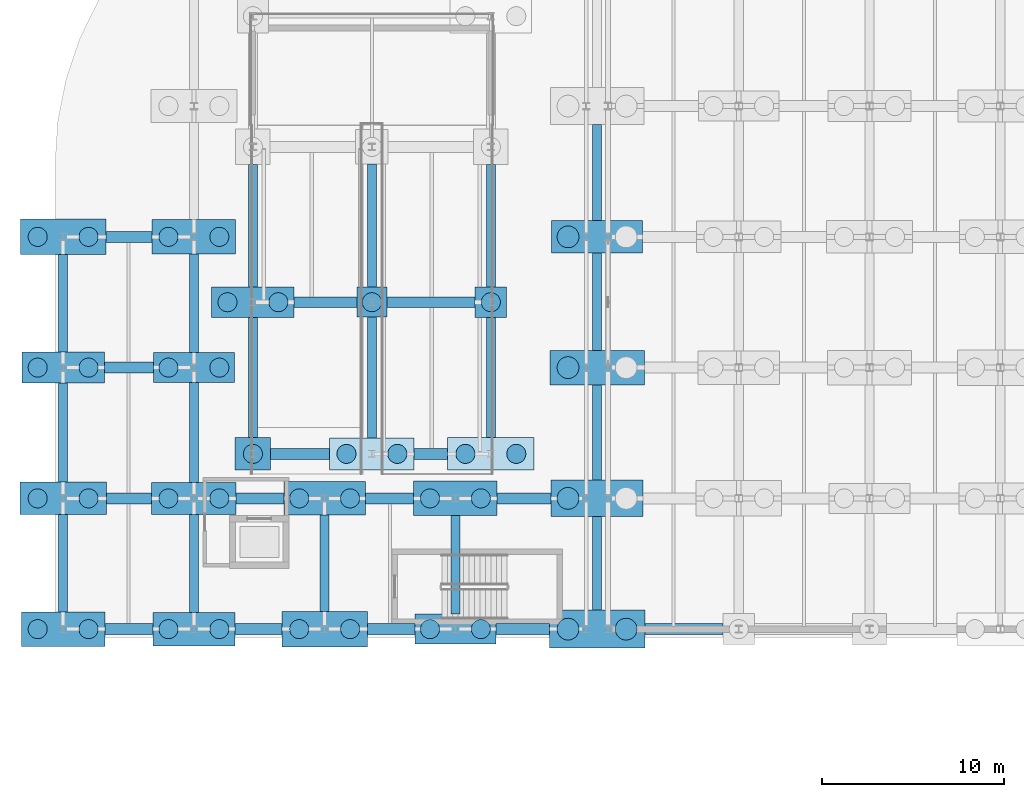
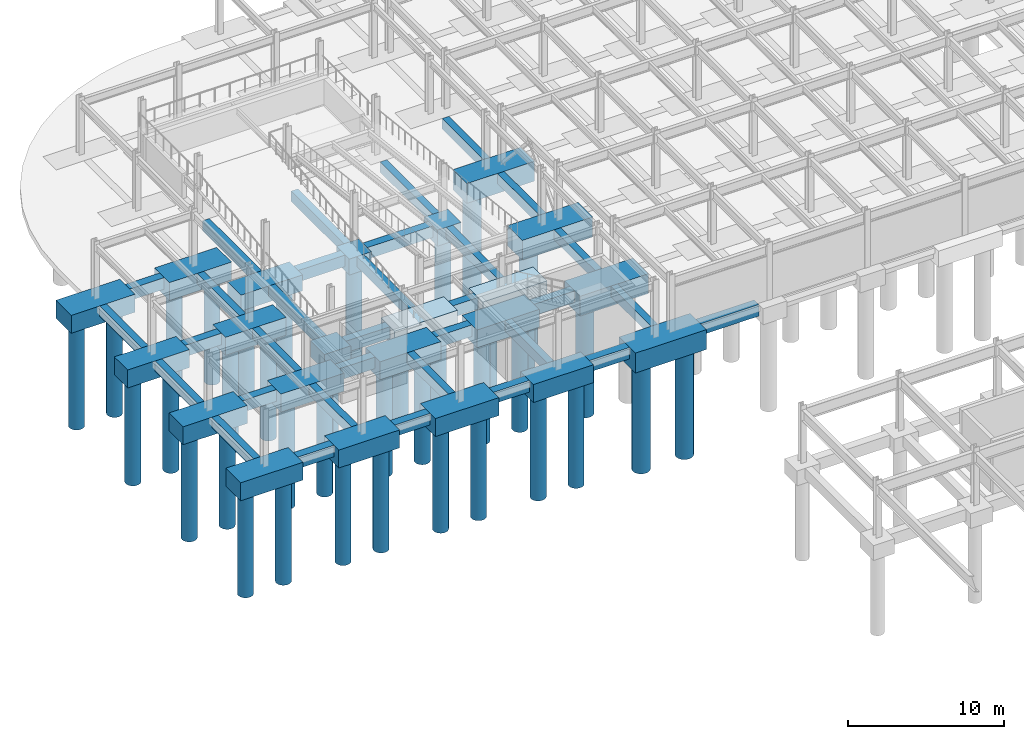
# One storey, part 2 of 54: 55 footings, 38 piles.
"""IFC4 building model written with IfcOpenShell, lengths in metres."""

from ifc_helpers import new_model, si_unit, direction, frame, origin, origin_2d, place, context, subcontext, project, spatial, polyline, rectangle, circle, outline, extrude, material, material_profile, profile_set, type_object, element, save


model = new_model("IFC4")

# Units and contexts
model_context = context("Model", 3, precision=1e-05, world=origin(), true_north=direction((0.0, 1.0)))
body_context = subcontext(model_context, "Body", "Model", "MODEL_VIEW")
ifc_project = project(units=[si_unit("LENGTHUNIT", "METRE"), si_unit("AREAUNIT", "SQUARE_METRE"), si_unit("VOLUMEUNIT", "CUBIC_METRE"), si_unit("PLANEANGLEUNIT", "RADIAN"), si_unit("MASSUNIT", "GRAM", prefix="KILO")], contexts=[model_context])

# Site, building, storey
site_placement = place(None, origin())
site = spatial("IfcSite", under=ifc_project, at=site_placement, CompositionType="ELEMENT")
building_placement = place(site_placement, origin())
building = spatial("IfcBuilding", under=site, at=building_placement, Name="Vaelcorin Mobility Hub", CompositionType="ELEMENT")
storey_placement = place(building_placement, frame((0.0, 0.0, -4.5)))
storey = spatial("IfcBuildingStorey", under=building, at=storey_placement, Name="B1", CompositionType="ELEMENT", Elevation=-4.5)

# Footings
ifc_material = material(Name="Concrete f'c 40 MPa", Category="concrete")
footing_type_1 = type_object("IfcFootingType", Name="FB-500X800", PredefinedType="FOOTING_BEAM", material=ifc_material)
footing_1_placement = place(storey_placement, frame((0.0, 0.0, -0.800048828125)))
element("IfcFooting", 1, at=footing_1_placement, inside=storey, type_object=footing_type_1, Name="Foundation Tie Beam FB-Y-262", PredefinedType="FOOTING_BEAM", context=body_context, shape_type="SweptSolid", body=[
    extrude(outline(polyline([(5.75, 77.75), (6.25, 77.75), (6.25, 83.10009765625), (5.75, 83.10009765625), (5.75, 77.75)])), origin(), (0.0, 0.0, 1.0), 0.800048828125),
])
footing_2_placement = place(storey_placement, frame((0.0, 0.0, -0.800048828125)))
element("IfcFooting", 2, at=footing_2_placement, inside=storey, type_object=footing_type_1, Name="Foundation Tie Beam FB-Y-263", PredefinedType="FOOTING_BEAM", context=body_context, shape_type="SweptSolid", body=[
    extrude(outline(polyline([(5.75, 84.89990234375), (6.25, 84.89990234375), (6.25, 90.35009765625), (5.75, 90.35009765625), (5.75, 84.89990234375)])), origin(), (0.0, 0.0, 1.0), 0.800048828125),
])
footing_3_placement = place(storey_placement, frame((0.0, 0.0, -0.800048828125)))
element("IfcFooting", 3, at=footing_3_placement, inside=storey, type_object=footing_type_1, Name="Foundation Tie Beam FB-Y-264", PredefinedType="FOOTING_BEAM", context=body_context, shape_type="SweptSolid", body=[
    extrude(outline(polyline([(5.75, 92.050048828125), (6.25, 92.050048828125), (6.25, 97.425048828125), (5.75, 97.425048828125), (5.75, 92.050048828125)])), origin(), (0.0, 0.0, 1.0), 0.800048828125),
])
footing_4_placement = place(storey_placement, frame((0.0, 0.0, -0.800048828125)))
element("IfcFooting", 4, at=footing_4_placement, inside=storey, type_object=footing_type_1, Name="Foundation Tie Beam FB-Y-265", PredefinedType="FOOTING_BEAM", context=body_context, shape_type="SweptSolid", body=[
    extrude(outline(polyline([(12.949951171875, 77.72509765625), (13.449951171875, 77.72509765625), (13.449951171875, 83.125), (12.949951171875, 83.125), (12.949951171875, 77.72509765625)])), origin(), (0.0, 0.0, 1.0), 0.800048828125),
])
footing_5_placement = place(storey_placement, frame((0.0, 0.0, -0.800048828125)))
element("IfcFooting", 5, at=footing_5_placement, inside=storey, type_object=footing_type_1, Name="Foundation Tie Beam FB-Y-266", PredefinedType="FOOTING_BEAM", context=body_context, shape_type="SweptSolid", body=[
    extrude(outline(polyline([(12.949951171875, 84.875), (13.449951171875, 84.875), (13.449951171875, 90.375), (12.949951171875, 90.375), (12.949951171875, 84.875)])), origin(), (0.0, 0.0, 1.0), 0.800048828125),
])
footing_6_placement = place(storey_placement, frame((0.0, 0.0, -0.800048828125)))
element("IfcFooting", 6, at=footing_6_placement, inside=storey, type_object=footing_type_1, Name="Foundation Tie Beam FB-Y-267", PredefinedType="FOOTING_BEAM", context=body_context, shape_type="SweptSolid", body=[
    extrude(outline(polyline([(12.949951171875, 92.02490234375), (13.449951171875, 92.02490234375), (13.449951171875, 97.449951171875), (12.949951171875, 97.449951171875), (12.949951171875, 92.02490234375)])), origin(), (0.0, 0.0, 1.0), 0.800048828125),
])
footing_7_placement = place(storey_placement, frame((0.0, 0.0, -0.800048828125)))
element("IfcFooting", 7, at=footing_7_placement, inside=storey, type_object=footing_type_1, Name="Foundation Tie Beam FB-Y-270", PredefinedType="FOOTING_BEAM", context=body_context, shape_type="SweptSolid", body=[
    extrude(outline(polyline([(20.14990234375, 77.77490234375), (20.64990234375, 77.77490234375), (20.64990234375, 83.074951171875), (20.14990234375, 83.074951171875), (20.14990234375, 77.77490234375)])), origin(), (0.0, 0.0, 1.0), 0.800048828125),
])
footing_8_placement = place(storey_placement, frame((0.0, 0.0, -0.800048828125)))
element("IfcFooting", 8, at=footing_8_placement, inside=storey, type_object=footing_type_1, Name="Foundation Tie Beam FB-Y-271", PredefinedType="FOOTING_BEAM", context=body_context, shape_type="SweptSolid", body=[
    extrude(outline(polyline([(27.35009765625, 77.625), (27.85009765625, 77.625), (27.85009765625, 83.050048828125), (27.35009765625, 83.050048828125), (27.35009765625, 77.625)])), origin(), (0.0, 0.0, 1.0), 0.800048828125),
])
footing_9_placement = place(storey_placement, frame((0.0, 0.0, -0.800048828125)))
element("IfcFooting", 9, at=footing_9_placement, inside=storey, type_object=footing_type_1, Name="Foundation Tie Beam FB-Y-274", PredefinedType="FOOTING_BEAM", context=body_context, shape_type="SweptSolid", body=[
    extrude(outline(polyline([(35.14990234375, 77.85009765625), (35.64990234375, 77.85009765625), (35.64990234375, 83.0), (35.14990234375, 83.0), (35.14990234375, 77.85009765625)])), origin(), (0.0, 0.0, 1.0), 0.800048828125),
])
footing_10_placement = place(storey_placement, frame((0.0, 0.0, -0.800048828125)))
element("IfcFooting", 10, at=footing_10_placement, inside=storey, type_object=footing_type_1, Name="Foundation Tie Beam FB-Y-275", PredefinedType="FOOTING_BEAM", context=body_context, shape_type="SweptSolid", body=[
    extrude(outline(polyline([(35.14990234375, 85.0), (35.64990234375, 85.0), (35.64990234375, 90.25), (35.14990234375, 90.25), (35.14990234375, 85.0)])), origin(), (0.0, 0.0, 1.0), 0.800048828125),
])
footing_11_placement = place(storey_placement, frame((0.0, 0.0, -0.800048828125)))
element("IfcFooting", 11, at=footing_11_placement, inside=storey, type_object=footing_type_1, Name="Foundation Tie Beam FB-Y-276", PredefinedType="FOOTING_BEAM", context=body_context, shape_type="SweptSolid", body=[
    extrude(outline(polyline([(35.14990234375, 92.14990234375), (35.64990234375, 92.14990234375), (35.64990234375, 97.5), (35.14990234375, 97.5), (35.14990234375, 92.14990234375)])), origin(), (0.0, 0.0, 1.0), 0.800048828125),
])
footing_12_placement = place(storey_placement, frame((0.0, 0.0, -0.800048828125)))
element("IfcFooting", 12, at=footing_12_placement, inside=storey, type_object=footing_type_1, Name="Foundation Tie Beam FB-Y-277", PredefinedType="FOOTING_BEAM", context=body_context, shape_type="SweptSolid", body=[
    extrude(outline(polyline([(35.14990234375, 99.300048828125), (35.64990234375, 99.300048828125), (35.64990234375, 104.574951171875), (35.14990234375, 104.574951171875), (35.14990234375, 99.300048828125)])), origin(), (0.0, 0.0, 1.0), 0.800048828125),
])
footing_13_placement = place(storey_placement, frame((0.0, 0.0, -0.800048828125)))
element("IfcFooting", 13, at=footing_13_placement, inside=storey, type_object=footing_type_1, Name="Foundation Tie Beam FB-Y-473", PredefinedType="FOOTING_BEAM", context=body_context, shape_type="SweptSolid", body=[
    extrude(outline(polyline([(16.199951171875, 87.35009765625), (16.699951171875, 87.35009765625), (16.699951171875, 93.949951171875), (16.199951171875, 93.949951171875), (16.199951171875, 87.35009765625)])), origin(), (0.0, 0.0, 1.0), 0.800048828125),
])
footing_14_placement = place(storey_placement, frame((0.0, 0.0, -0.800048828125)))
element("IfcFooting", 14, at=footing_14_placement, inside=storey, type_object=footing_type_1, Name="Foundation Tie Beam FB-Y-474", PredefinedType="FOOTING_BEAM", context=body_context, shape_type="SweptSolid", body=[
    extrude(outline(polyline([(16.199951171875, 95.64990234375), (16.699951171875, 95.64990234375), (16.699951171875, 102.375), (16.199951171875, 102.375), (16.199951171875, 95.64990234375)])), origin(), (0.0, 0.0, 1.0), 0.800048828125),
])
footing_15_placement = place(storey_placement, frame((0.0, 0.0, -0.800048828125)))
element("IfcFooting", 15, at=footing_15_placement, inside=storey, type_object=footing_type_1, Name="Foundation Tie Beam FB-Y-476", PredefinedType="FOOTING_BEAM", context=body_context, shape_type="SweptSolid", body=[
    extrude(outline(polyline([(22.75, 87.324951171875), (23.25, 87.324951171875), (23.25, 93.97509765625), (22.75, 93.97509765625), (22.75, 87.324951171875)])), origin(), (0.0, 0.0, 1.0), 0.800048828125),
])
footing_16_placement = place(storey_placement, frame((0.0, 0.0, -0.800048828125)))
element("IfcFooting", 16, at=footing_16_placement, inside=storey, type_object=footing_type_1, Name="Foundation Tie Beam FB-Y-477", PredefinedType="FOOTING_BEAM", context=body_context, shape_type="SweptSolid", body=[
    extrude(outline(polyline([(22.75, 95.625), (23.25, 95.625), (23.25, 102.39990234375), (22.75, 102.39990234375), (22.75, 95.625)])), origin(), (0.0, 0.0, 1.0), 0.800048828125),
])
footing_17_placement = place(storey_placement, frame((0.0, 0.0, -0.800048828125)))
element("IfcFooting", 17, at=footing_17_placement, inside=storey, type_object=footing_type_1, Name="Foundation Tie Beam FB-Y-478", PredefinedType="FOOTING_BEAM", context=body_context, shape_type="SweptSolid", body=[
    extrude(outline(polyline([(29.300048828125, 87.35009765625), (29.800048828125, 87.35009765625), (29.800048828125, 93.949951171875), (29.300048828125, 93.949951171875), (29.300048828125, 87.35009765625)])), origin(), (0.0, 0.0, 1.0), 0.800048828125),
])
footing_18_placement = place(storey_placement, frame((0.0, 0.0, -0.800048828125)))
element("IfcFooting", 18, at=footing_18_placement, inside=storey, type_object=footing_type_1, Name="Foundation Tie Beam FB-Y-479", PredefinedType="FOOTING_BEAM", context=body_context, shape_type="SweptSolid", body=[
    extrude(outline(polyline([(29.300048828125, 95.64990234375), (29.800048828125, 95.64990234375), (29.800048828125, 102.375), (29.300048828125, 102.375), (29.300048828125, 95.64990234375)])), origin(), (0.0, 0.0, 1.0), 0.800048828125),
])
footing_type_2 = type_object("IfcFootingType", Name="FB-600X900", PredefinedType="FOOTING_BEAM", material=ifc_material)
footing_19_placement = place(storey_placement, frame((0.0, 0.0, -0.89990234375)))
element("IfcFooting", 19, at=footing_19_placement, inside=storey, type_object=footing_type_2, Name="Foundation Tie Beam FB-X-001", PredefinedType="FOOTING_BEAM", context=body_context, shape_type="SweptSolid", body=[
    extrude(outline(polyline([(8.300048828125, 76.5), (10.949951171875, 76.5), (10.949951171875, 77.10009765625), (8.300048828125, 77.10009765625), (8.300048828125, 76.5)])), origin(), (0.0, 0.0, 1.0), 0.89990234375),
])
footing_20_placement = place(storey_placement, frame((0.0, 0.0, -0.89990234375)))
element("IfcFooting", 20, at=footing_20_placement, inside=storey, type_object=footing_type_2, Name="Foundation Tie Beam FB-X-002", PredefinedType="FOOTING_BEAM", context=body_context, shape_type="SweptSolid", body=[
    extrude(outline(polyline([(15.449951171875, 76.5), (18.050048828125, 76.5), (18.050048828125, 77.10009765625), (15.449951171875, 77.10009765625), (15.449951171875, 76.5)])), origin(), (0.0, 0.0, 1.0), 0.89990234375),
])
footing_21_placement = place(storey_placement, frame((0.0, 0.0, -0.89990234375)))
element("IfcFooting", 21, at=footing_21_placement, inside=storey, type_object=footing_type_2, Name="Foundation Tie Beam FB-X-003", PredefinedType="FOOTING_BEAM", context=body_context, shape_type="SweptSolid", body=[
    extrude(outline(polyline([(22.75, 76.5), (25.375, 76.5), (25.375, 77.10009765625), (22.75, 77.10009765625), (22.75, 76.5)])), origin(), (0.0, 0.0, 1.0), 0.89990234375),
])
footing_22_placement = place(storey_placement, frame((0.0, 0.0, -0.89990234375)))
element("IfcFooting", 22, at=footing_22_placement, inside=storey, type_object=footing_type_2, Name="Foundation Tie Beam FB-X-004", PredefinedType="FOOTING_BEAM", context=body_context, shape_type="SweptSolid", body=[
    extrude(outline(polyline([(29.824951171875, 76.5), (32.77490234375, 76.5), (32.77490234375, 77.10009765625), (29.824951171875, 77.10009765625), (29.824951171875, 76.5)])), origin(), (0.0, 0.0, 1.0), 0.89990234375),
])
footing_23_placement = place(storey_placement, frame((0.0, 0.0, -0.89990234375)))
element("IfcFooting", 23, at=footing_23_placement, inside=storey, type_object=footing_type_2, Name="Foundation Tie Beam FB-X-005", PredefinedType="FOOTING_BEAM", context=body_context, shape_type="SweptSolid", body=[
    extrude(outline(polyline([(38.02490234375, 76.5), (42.324951171875, 76.5), (42.324951171875, 77.10009765625), (38.02490234375, 77.10009765625), (38.02490234375, 76.5)])), origin(), (0.0, 0.0, 1.0), 0.89990234375),
])
footing_24_placement = place(storey_placement, frame((0.0, 0.0, -0.89990234375)))
element("IfcFooting", 24, at=footing_24_placement, inside=storey, type_object=footing_type_2, Name="Foundation Tie Beam FB-X-028", PredefinedType="FOOTING_BEAM", context=body_context, shape_type="SweptSolid", body=[
    extrude(outline(polyline([(8.375, 83.699951171875), (10.875, 83.699951171875), (10.875, 84.300048828125), (8.375, 84.300048828125), (8.375, 83.699951171875)])), origin(), (0.0, 0.0, 1.0), 0.89990234375),
])
footing_25_placement = place(storey_placement, frame((0.0, 0.0, -0.89990234375)))
element("IfcFooting", 25, at=footing_25_placement, inside=storey, type_object=footing_type_2, Name="Foundation Tie Beam FB-X-029", PredefinedType="FOOTING_BEAM", context=body_context, shape_type="SweptSolid", body=[
    extrude(outline(polyline([(15.52490234375, 83.699951171875), (18.14990234375, 83.699951171875), (18.14990234375, 84.300048828125), (15.52490234375, 84.300048828125), (15.52490234375, 83.699951171875)])), origin(), (0.0, 0.0, 1.0), 0.89990234375),
])
footing_26_placement = place(storey_placement, frame((0.0, 0.0, -0.89990234375)))
element("IfcFooting", 26, at=footing_26_placement, inside=storey, type_object=footing_type_2, Name="Foundation Tie Beam FB-X-030", PredefinedType="FOOTING_BEAM", context=body_context, shape_type="SweptSolid", body=[
    extrude(outline(polyline([(22.64990234375, 83.699951171875), (25.300048828125, 83.699951171875), (25.300048828125, 84.300048828125), (22.64990234375, 84.300048828125), (22.64990234375, 83.699951171875)])), origin(), (0.0, 0.0, 1.0), 0.89990234375),
])
footing_27_placement = place(storey_placement, frame((0.0, 0.0, -0.89990234375)))
element("IfcFooting", 27, at=footing_27_placement, inside=storey, type_object=footing_type_2, Name="Foundation Tie Beam FB-X-031", PredefinedType="FOOTING_BEAM", context=body_context, shape_type="SweptSolid", body=[
    extrude(outline(polyline([(29.89990234375, 83.699951171875), (32.875, 83.699951171875), (32.875, 84.300048828125), (29.89990234375, 84.300048828125), (29.89990234375, 83.699951171875)])), origin(), (0.0, 0.0, 1.0), 0.89990234375),
])
footing_28_placement = place(storey_placement, frame((0.0, 0.0, -0.89990234375)))
element("IfcFooting", 28, at=footing_28_placement, inside=storey, type_object=footing_type_2, Name="Foundation Tie Beam FB-X-055", PredefinedType="FOOTING_BEAM", context=body_context, shape_type="SweptSolid", body=[
    extrude(outline(polyline([(8.27490234375, 90.89990234375), (10.97509765625, 90.89990234375), (10.97509765625, 91.5), (8.27490234375, 91.5), (8.27490234375, 90.89990234375)])), origin(), (0.0, 0.0, 1.0), 0.89990234375),
])
footing_29_placement = place(storey_placement, frame((0.0, 0.0, -0.89990234375)))
element("IfcFooting", 29, at=footing_29_placement, inside=storey, type_object=footing_type_2, Name="Foundation Tie Beam FB-X-076", PredefinedType="FOOTING_BEAM", context=body_context, shape_type="SweptSolid", body=[
    extrude(outline(polyline([(8.35009765625, 98.10009765625), (10.89990234375, 98.10009765625), (10.89990234375, 98.699951171875), (8.35009765625, 98.699951171875), (8.35009765625, 98.10009765625)])), origin(), (0.0, 0.0, 1.0), 0.89990234375),
])
footing_30_placement = place(storey_placement, frame((0.0, 0.0, -0.89990234375)))
element("IfcFooting", 30, at=footing_30_placement, inside=storey, type_object=footing_type_2, Name="Foundation Tie Beam FB-X-250", PredefinedType="FOOTING_BEAM", context=body_context, shape_type="SweptSolid", body=[
    extrude(outline(polyline([(17.425048828125, 86.14990234375), (20.675048828125, 86.14990234375), (20.675048828125, 86.75), (17.425048828125, 86.75), (17.425048828125, 86.14990234375)])), origin(), (0.0, 0.0, 1.0), 0.89990234375),
])
footing_31_placement = place(storey_placement, frame((0.0, 0.0, -0.89990234375)))
element("IfcFooting", 31, at=footing_31_placement, inside=storey, type_object=footing_type_2, Name="Foundation Tie Beam FB-X-251", PredefinedType="FOOTING_BEAM", context=body_context, shape_type="SweptSolid", body=[
    extrude(outline(polyline([(25.324951171875, 86.14990234375), (27.175048828125, 86.14990234375), (27.175048828125, 86.75), (25.324951171875, 86.75), (25.324951171875, 86.14990234375)])), origin(), (0.0, 0.0, 1.0), 0.89990234375),
])
footing_32_placement = place(storey_placement, frame((0.0, 0.0, -0.89990234375)))
element("IfcFooting", 32, at=footing_32_placement, inside=storey, type_object=footing_type_2, Name="Foundation Tie Beam FB-X-254", PredefinedType="FOOTING_BEAM", context=body_context, shape_type="SweptSolid", body=[
    extrude(outline(polyline([(18.72509765625, 94.5), (22.175048828125, 94.5), (22.175048828125, 95.10009765625), (18.72509765625, 95.10009765625), (18.72509765625, 94.5)])), origin(), (0.0, 0.0, 1.0), 0.89990234375),
])
footing_33_placement = place(storey_placement, frame((0.0, 0.0, -0.89990234375)))
element("IfcFooting", 33, at=footing_33_placement, inside=storey, type_object=footing_type_2, Name="Foundation Tie Beam FB-X-255", PredefinedType="FOOTING_BEAM", context=body_context, shape_type="SweptSolid", body=[
    extrude(outline(polyline([(23.824951171875, 94.5), (28.675048828125, 94.5), (28.675048828125, 95.10009765625), (23.824951171875, 95.10009765625), (23.824951171875, 94.5)])), origin(), (0.0, 0.0, 1.0), 0.89990234375),
])
footing_type_3 = type_object("IfcFootingType", Name="FTG-PC-01", PredefinedType="PILE_CAP", material=ifc_material)
for number, where, z_axis, x_axis, name in (
    (34, (6.0, 76.800048828125, -1.39990234375), (0.0, 0.0, 1.0), (1.0, 0.0, 0.0), "Pile Cap PC-01 001"),
    (35, (13.199951171875, 98.39990234375, -1.39990234375), (0.0, 0.0, 1.0), (1.0, 0.0, 0.0), "Pile Cap PC-01 008"),
    (36, (27.60009765625, 84.0, -1.39990234375), (0.0, 0.0, 1.0), (1.0, 0.0, 0.0), "Pile Cap PC-01 015"),
):
    element("IfcFooting", number, at=place(storey_placement, frame(where, z_axis=z_axis, x_axis=x_axis)), inside=storey, type_object=footing_type_3, Name=name, PredefinedType="PILE_CAP", context=body_context, shape_type="SweptSolid", body=[
        extrude(rectangle(XDim=4.60009765625, YDim=1.89990234375, at=origin_2d()), origin(), (0.0, 0.0, 1.0), 1.39990234375),
    ])
footing_type_4 = type_object("IfcFootingType", Name="FTG-PC-02", PredefinedType="PILE_CAP", material=ifc_material)
footing_34_placement = place(storey_placement, frame((6.0, 84.0, -1.39990234375), z_axis=(0.0, 0.0, 1.0), x_axis=(1.0, 0.0, 0.0)))
element("IfcFooting", 37, at=footing_34_placement, inside=storey, type_object=footing_type_4, Name="Pile Cap PC-02 002", PredefinedType="PILE_CAP", context=body_context, shape_type="SweptSolid", body=[
    extrude(rectangle(XDim=4.75, YDim=1.800048828125, at=origin_2d()), origin(), (0.0, 0.0, 1.0), 1.39990234375),
])
footing_type_5 = type_object("IfcFootingType", Name="FTG-PC-03", PredefinedType="PILE_CAP", material=ifc_material)
footing_35_placement = place(storey_placement, frame((6.0, 91.199951171875, -1.39990234375), z_axis=(0.0, 0.0, 1.0), x_axis=(1.0, 0.0, 0.0)))
element("IfcFooting", 38, at=footing_35_placement, inside=storey, type_object=footing_type_5, Name="Pile Cap PC-03 003", PredefinedType="PILE_CAP", context=body_context, shape_type="SweptSolid", body=[
    extrude(rectangle(XDim=4.550048828125, YDim=1.699951171875, at=origin_2d()), origin(), (0.0, 0.0, 1.0), 1.39990234375),
])
footing_type_6 = type_object("IfcFootingType", Name="FTG-PC-04", PredefinedType="PILE_CAP", material=ifc_material)
for number, where, z_axis, x_axis, name in (
    (39, (6.0, 98.39990234375, -1.39990234375), (0.0, 0.0, 1.0), (1.0, 0.0, 0.0), "Pile Cap PC-04 004"),
    (40, (20.39990234375, 76.800048828125, -1.39990234375), (0.0, 0.0, 1.0), (1.0, 0.0, 0.0), "Pile Cap PC-04 011"),
):
    element("IfcFooting", number, at=place(storey_placement, frame(where, z_axis=z_axis, x_axis=x_axis)), inside=storey, type_object=footing_type_6, Name=name, PredefinedType="PILE_CAP", context=body_context, shape_type="SweptSolid", body=[
        extrude(rectangle(XDim=4.699951171875, YDim=1.949951171875, at=origin_2d()), origin(), (0.0, 0.0, 1.0), 1.39990234375),
    ])
footing_type_7 = type_object("IfcFootingType", Name="FTG-PC-05", PredefinedType="PILE_CAP", material=ifc_material)
for number, where, z_axis, x_axis, name in (
    (41, (13.199951171875, 76.800048828125, -1.39990234375), (0.0, 0.0, 1.0), (1.0, 0.0, 0.0), "Pile Cap PC-05 005"),
    (42, (20.39990234375, 84.0, -1.39990234375), (0.0, 0.0, 1.0), (1.0, 0.0, 0.0), "Pile Cap PC-05 012"),
):
    element("IfcFooting", number, at=place(storey_placement, frame(where, z_axis=z_axis, x_axis=x_axis)), inside=storey, type_object=footing_type_7, Name=name, PredefinedType="PILE_CAP", context=body_context, shape_type="SweptSolid", body=[
        extrude(rectangle(XDim=4.5, YDim=1.85009765625, at=origin_2d()), origin(), (0.0, 0.0, 1.0), 1.39990234375),
    ])
footing_type_8 = type_object("IfcFootingType", Name="FTG-PC-06", PredefinedType="PILE_CAP", material=ifc_material)
footing_36_placement = place(storey_placement, frame((13.199951171875, 84.0, -1.39990234375), z_axis=(0.0, 0.0, 1.0), x_axis=(1.0, 0.0, 0.0)))
element("IfcFooting", 43, at=footing_36_placement, inside=storey, type_object=footing_type_8, Name="Pile Cap PC-06 006", PredefinedType="PILE_CAP", context=body_context, shape_type="SweptSolid", body=[
    extrude(rectangle(XDim=4.64990234375, YDim=1.75, at=origin_2d()), origin(), (0.0, 0.0, 1.0), 1.39990234375),
])
footing_type_9 = type_object("IfcFootingType", Name="FTG-PC-07", PredefinedType="PILE_CAP", material=ifc_material)
for number, where, z_axis, x_axis, name in (
    (44, (13.199951171875, 91.199951171875, -1.39990234375), (0.0, 0.0, 1.0), (1.0, 0.0, 0.0), "Pile Cap PC-07 007"),
    (45, (27.60009765625, 76.800048828125, -1.39990234375), (0.0, 0.0, 1.0), (1.0, 0.0, 0.0), "Pile Cap PC-07 014"),
):
    element("IfcFooting", number, at=place(storey_placement, frame(where, z_axis=z_axis, x_axis=x_axis)), inside=storey, type_object=footing_type_9, Name=name, PredefinedType="PILE_CAP", context=body_context, shape_type="SweptSolid", body=[
        extrude(rectangle(XDim=4.449951171875, YDim=1.64990234375, at=origin_2d()), origin(), (0.0, 0.0, 1.0), 1.39990234375),
    ])
footing_type_10 = type_object("IfcFootingType", Name="FTG-PC-21", PredefinedType="PILE_CAP", material=ifc_material)
footing_37_placement = place(storey_placement, frame((29.550048828125, 94.800048828125, -1.25), z_axis=(0.0, 0.0, 1.0), x_axis=(1.0, 0.0, 0.0)))
element("IfcFooting", 46, at=footing_37_placement, inside=storey, type_object=footing_type_10, Name="Pile Cap PC-21 283", PredefinedType="PILE_CAP", context=body_context, shape_type="SweptSolid", body=[
    extrude(rectangle(XDim=1.75, YDim=1.699951171875, at=origin_2d()), origin(), (0.0, 0.0, 1.0), 1.25),
])
footing_type_11 = type_object("IfcFootingType", Name="FTG-PC-24", PredefinedType="PILE_CAP", material=ifc_material)
footing_38_placement = place(storey_placement, frame((29.550048828125, 86.449951171875, -1.25), z_axis=(0.0, 0.0, 1.0), x_axis=(1.0, 0.0, 0.0)))
element("IfcFooting", 47, at=footing_38_placement, inside=storey, type_object=footing_type_11, Name="Pile Cap PC-24 282", PredefinedType="PILE_CAP", context=body_context, shape_type="SweptSolid", body=[
    extrude(rectangle(XDim=4.75, YDim=1.800048828125, at=origin_2d()), origin(), (0.0, 0.0, 1.0), 1.25),
])
footing_type_12 = type_object("IfcFootingType", Name="FTG-PC-28", PredefinedType="PILE_CAP", material=ifc_material)
footing_39_placement = place(storey_placement, frame((23.0, 94.800048828125, -1.25), z_axis=(0.0, 0.0, 1.0), x_axis=(1.0, 0.0, 0.0)))
element("IfcFooting", 48, at=footing_39_placement, inside=storey, type_object=footing_type_12, Name="Pile Cap PC-28 280", PredefinedType="PILE_CAP", context=body_context, shape_type="SweptSolid", body=[
    extrude(rectangle(XDim=1.64990234375, YDim=1.64990234375, at=origin_2d()), origin(), (0.0, 0.0, 1.0), 1.25),
])
footing_type_13 = type_object("IfcFootingType", Name="FTG-PC-29", PredefinedType="PILE_CAP", material=ifc_material)
footing_40_placement = place(storey_placement, frame((23.0, 86.449951171875, -1.25), z_axis=(0.0, 0.0, 1.0), x_axis=(1.0, 0.0, 0.0)))
element("IfcFooting", 49, at=footing_40_placement, inside=storey, type_object=footing_type_13, Name="Pile Cap PC-29 279", PredefinedType="PILE_CAP", context=body_context, shape_type="SweptSolid", body=[
    extrude(rectangle(XDim=4.64990234375, YDim=1.75, at=origin_2d()), origin(), (0.0, 0.0, 1.0), 1.25),
])
footing_type_14 = type_object("IfcFootingType", Name="FTG-PC-30", PredefinedType="PILE_CAP", material=ifc_material)
footing_41_placement = place(storey_placement, frame((16.449951171875, 86.449951171875, -1.25), z_axis=(0.0, 0.0, 1.0), x_axis=(1.0, 0.0, 0.0)))
element("IfcFooting", 50, at=footing_41_placement, inside=storey, type_object=footing_type_14, Name="Pile Cap PC-30 275", PredefinedType="PILE_CAP", context=body_context, shape_type="SweptSolid", body=[
    extrude(rectangle(XDim=1.949951171875, YDim=1.800048828125, at=origin_2d()), origin(), (0.0, 0.0, 1.0), 1.25),
])
footing_type_15 = type_object("IfcFootingType", Name="FTG-PC-34", PredefinedType="PILE_CAP", material=ifc_material)
footing_42_placement = place(storey_placement, frame((16.449951171875, 94.800048828125, -1.25), z_axis=(0.0, 0.0, 1.0), x_axis=(1.0, 0.0, 0.0)))
element("IfcFooting", 51, at=footing_42_placement, inside=storey, type_object=footing_type_15, Name="Pile Cap PC-34 276", PredefinedType="PILE_CAP", context=body_context, shape_type="SweptSolid", body=[
    extrude(rectangle(XDim=4.550048828125, YDim=1.699951171875, at=origin_2d()), origin(), (0.0, 0.0, 1.0), 1.25),
])
footing_type_16 = type_object("IfcFootingType", Name="FTG-PC-COMB08", PredefinedType="PILE_CAP", material=ifc_material)
footing_43_placement = place(storey_placement, frame((35.39990234375, 76.800048828125, -1.5498046875), z_axis=(0.0, 0.0, 1.0), x_axis=(1.0, 0.0, 0.0)))
element("IfcFooting", 52, at=footing_43_placement, inside=storey, type_object=footing_type_16, Name="Pile Cap PC-COMB08 018", PredefinedType="PILE_CAP", context=body_context, shape_type="SweptSolid", body=[
    extrude(rectangle(XDim=5.25, YDim=2.10009765625, at=origin_2d()), origin(), (0.0, 0.0, 1.0), 1.550048828125),
])
footing_type_17 = type_object("IfcFootingType", Name="FTG-PC-COMB09", PredefinedType="PILE_CAP", material=ifc_material)
footing_44_placement = place(storey_placement, frame((35.39990234375, 84.0, -1.5498046875), z_axis=(0.0, 0.0, 1.0), x_axis=(1.0, 0.0, 0.0)))
element("IfcFooting", 53, at=footing_44_placement, inside=storey, type_object=footing_type_17, Name="Pile Cap PC-COMB09 019", PredefinedType="PILE_CAP", context=body_context, shape_type="SweptSolid", body=[
    extrude(rectangle(XDim=5.050048828125, YDim=2.0, at=origin_2d()), origin(), (0.0, 0.0, 1.0), 1.550048828125),
])
footing_type_18 = type_object("IfcFootingType", Name="FTG-PC-COMB10", PredefinedType="PILE_CAP", material=ifc_material)
footing_45_placement = place(storey_placement, frame((35.39990234375, 91.199951171875, -1.5498046875), z_axis=(0.0, 0.0, 1.0), x_axis=(1.0, 0.0, 0.0)))
element("IfcFooting", 54, at=footing_45_placement, inside=storey, type_object=footing_type_18, Name="Pile Cap PC-COMB10 020", PredefinedType="PILE_CAP", context=body_context, shape_type="SweptSolid", body=[
    extrude(rectangle(XDim=5.199951171875, YDim=1.89990234375, at=origin_2d()), origin(), (0.0, 0.0, 1.0), 1.550048828125),
])
footing_type_19 = type_object("IfcFootingType", Name="FTG-PC-COMB11", PredefinedType="PILE_CAP", material=ifc_material)
footing_46_placement = place(storey_placement, frame((35.39990234375, 98.39990234375, -1.5498046875), z_axis=(0.0, 0.0, 1.0), x_axis=(1.0, 0.0, 0.0)))
element("IfcFooting", 55, at=footing_46_placement, inside=storey, type_object=footing_type_19, Name="Pile Cap PC-COMB11 021", PredefinedType="PILE_CAP", context=body_context, shape_type="SweptSolid", body=[
    extrude(rectangle(XDim=5.0, YDim=1.800048828125, at=origin_2d()), origin(), (0.0, 0.0, 1.0), 1.550048828125),
])

# Piles
ifc_material_profile_1 = material_profile(ifc_material, circle(Radius=0.52490234375, at=origin_2d()), Name="BP-D1050")
ifc_profile_set_1 = profile_set([ifc_material_profile_1], Name="Concrete f'c 40 MPa")
pile_type_1 = type_object("IfcPileType", Name="PILE-D1050", PredefinedType="BORED", material=ifc_profile_set_1)
for number, where, z_axis, x_axis, name in (
    (56, (4.60009765625, 76.800048828125, -1.300048828125), (0.0, 0.0, -1.0), (1.0, 0.0, 0.0), "Bored Pile CAP-001-P1"),
    (57, (7.39990234375, 76.800048828125, -1.300048828125), (0.0, 0.0, -1.0), (1.0, 0.0, 0.0), "Bored Pile CAP-001-P2"),
    (58, (4.60009765625, 84.0, -1.300048828125), (0.0, 0.0, -1.0), (1.0, 0.0, 0.0), "Bored Pile CAP-002-P1"),
    (59, (7.39990234375, 84.0, -1.300048828125), (0.0, 0.0, -1.0), (1.0, 0.0, 0.0), "Bored Pile CAP-002-P2"),
    (60, (4.60009765625, 91.199951171875, -1.300048828125), (0.0, 0.0, -1.0), (1.0, 0.0, 0.0), "Bored Pile CAP-003-P1"),
    (61, (7.39990234375, 91.199951171875, -1.300048828125), (0.0, 0.0, -1.0), (1.0, 0.0, 0.0), "Bored Pile CAP-003-P2"),
    (62, (4.60009765625, 98.39990234375, -1.300048828125), (0.0, 0.0, -1.0), (1.0, 0.0, 0.0), "Bored Pile CAP-004-P1"),
    (63, (7.39990234375, 98.39990234375, -1.300048828125), (0.0, 0.0, -1.0), (1.0, 0.0, 0.0), "Bored Pile CAP-004-P2"),
    (64, (11.800048828125, 76.800048828125, -1.300048828125), (0.0, 0.0, -1.0), (1.0, 0.0, 0.0), "Bored Pile CAP-005-P1"),
    (65, (14.60009765625, 76.800048828125, -1.300048828125), (0.0, 0.0, -1.0), (1.0, 0.0, 0.0), "Bored Pile CAP-005-P2"),
    (66, (11.800048828125, 84.0, -1.300048828125), (0.0, 0.0, -1.0), (1.0, 0.0, 0.0), "Bored Pile CAP-006-P1"),
    (67, (14.60009765625, 84.0, -1.300048828125), (0.0, 0.0, -1.0), (1.0, 0.0, 0.0), "Bored Pile CAP-006-P2"),
    (68, (11.800048828125, 91.199951171875, -1.300048828125), (0.0, 0.0, -1.0), (1.0, 0.0, 0.0), "Bored Pile CAP-007-P1"),
    (69, (14.60009765625, 91.199951171875, -1.300048828125), (0.0, 0.0, -1.0), (1.0, 0.0, 0.0), "Bored Pile CAP-007-P2"),
    (70, (11.800048828125, 98.39990234375, -1.300048828125), (0.0, 0.0, -1.0), (1.0, 0.0, 0.0), "Bored Pile CAP-008-P1"),
    (71, (14.60009765625, 98.39990234375, -1.300048828125), (0.0, 0.0, -1.0), (1.0, 0.0, 0.0), "Bored Pile CAP-008-P2"),
    (72, (19.0, 76.800048828125, -1.300048828125), (0.0, 0.0, -1.0), (1.0, 0.0, 0.0), "Bored Pile CAP-011-P1"),
    (73, (21.800048828125, 76.800048828125, -1.300048828125), (0.0, 0.0, -1.0), (1.0, 0.0, 0.0), "Bored Pile CAP-011-P2"),
    (74, (19.0, 84.0, -1.300048828125), (0.0, 0.0, -1.0), (1.0, 0.0, 0.0), "Bored Pile CAP-012-P1"),
    (75, (21.800048828125, 84.0, -1.300048828125), (0.0, 0.0, -1.0), (1.0, 0.0, 0.0), "Bored Pile CAP-012-P2"),
    (76, (26.199951171875, 76.800048828125, -1.300048828125), (0.0, 0.0, -1.0), (1.0, 0.0, 0.0), "Bored Pile CAP-014-P1"),
    (77, (29.0, 76.800048828125, -1.300048828125), (0.0, 0.0, -1.0), (1.0, 0.0, 0.0), "Bored Pile CAP-014-P2"),
    (78, (26.199951171875, 84.0, -1.300048828125), (0.0, 0.0, -1.0), (1.0, 0.0, 0.0), "Bored Pile CAP-015-P1"),
    (79, (29.0, 84.0, -1.300048828125), (0.0, 0.0, -1.0), (1.0, 0.0, 0.0), "Bored Pile CAP-015-P2"),
):
    element("IfcPile", number, at=place(storey_placement, frame(where, z_axis=z_axis, x_axis=x_axis)), inside=storey, type_object=pile_type_1, Name=name, PredefinedType="BORED", context=body_context, shape_type="SweptSolid", body=[
        extrude(circle(Radius=0.52490234375, at=origin_2d()), origin(), (0.0, 0.0, 1.0), 8.199951171875),
    ])
for number, where, z_axis, x_axis, name in (
    (80, (16.449951171875, 86.449951171875, -1.14990234375), (0.0, 0.0, -1.0), (1.0, 0.0, 0.0), "Bored Pile CAP-275-P1"),
    (81, (15.050048828125, 94.800048828125, -1.14990234375), (0.0, 0.0, -1.0), (1.0, 0.0, 0.0), "Bored Pile CAP-276-P1"),
    (82, (17.85009765625, 94.800048828125, -1.14990234375), (0.0, 0.0, -1.0), (1.0, 0.0, 0.0), "Bored Pile CAP-276-P2"),
    (83, (21.60009765625, 86.449951171875, -1.14990234375), (0.0, 0.0, -1.0), (1.0, 0.0, 0.0), "Bored Pile CAP-279-P1"),
    (84, (24.39990234375, 86.449951171875, -1.14990234375), (0.0, 0.0, -1.0), (1.0, 0.0, 0.0), "Bored Pile CAP-279-P2"),
    (85, (23.0, 94.800048828125, -1.14990234375), (0.0, 0.0, -1.0), (1.0, 0.0, 0.0), "Bored Pile CAP-280-P1"),
    (86, (28.14990234375, 86.449951171875, -1.14990234375), (0.0, 0.0, -1.0), (1.0, 0.0, 0.0), "Bored Pile CAP-282-P1"),
    (87, (30.949951171875, 86.449951171875, -1.14990234375), (0.0, 0.0, -1.0), (1.0, 0.0, 0.0), "Bored Pile CAP-282-P2"),
    (88, (29.550048828125, 94.800048828125, -1.14990234375), (0.0, 0.0, -1.0), (1.0, 0.0, 0.0), "Bored Pile CAP-283-P1"),
):
    element("IfcPile", number, at=place(storey_placement, frame(where, z_axis=z_axis, x_axis=x_axis)), inside=storey, type_object=pile_type_1, Name=name, PredefinedType="BORED", context=body_context, shape_type="SweptSolid", body=[
        extrude(circle(Radius=0.52490234375, at=origin_2d()), origin(), (0.0, 0.0, 1.0), 7.35009765625),
    ])
ifc_material_profile_2 = material_profile(ifc_material, circle(Radius=0.60009765625, at=origin_2d()), Name="BP-D1200")
ifc_profile_set_2 = profile_set([ifc_material_profile_2], Name="Concrete f'c 40 MPa")
pile_type_2 = type_object("IfcPileType", Name="PILE-D1200", PredefinedType="BORED", material=ifc_profile_set_2)
for number, where, z_axis, x_axis, name in (
    (89, (33.800048828125, 76.800048828125, -1.449951171875), (0.0, 0.0, -1.0), (1.0, 0.0, 0.0), "Bored Pile CAP-018-P1"),
    (90, (37.0, 76.800048828125, -1.449951171875), (0.0, 0.0, -1.0), (1.0, 0.0, 0.0), "Bored Pile CAP-018-P2"),
    (91, (33.800048828125, 84.0, -1.449951171875), (0.0, 0.0, -1.0), (1.0, 0.0, 0.0), "Bored Pile CAP-019-P1"),
    (92, (33.800048828125, 91.199951171875, -1.449951171875), (0.0, 0.0, -1.0), (1.0, 0.0, 0.0), "Bored Pile CAP-020-P1"),
    (93, (33.800048828125, 98.39990234375, -1.449951171875), (0.0, 0.0, -1.0), (1.0, 0.0, 0.0), "Bored Pile CAP-021-P1"),
):
    element("IfcPile", number, at=place(storey_placement, frame(where, z_axis=z_axis, x_axis=x_axis)), inside=storey, type_object=pile_type_2, Name=name, PredefinedType="BORED", context=body_context, shape_type="SweptSolid", body=[
        extrude(circle(Radius=0.60009765625, at=origin_2d()), origin(), (0.0, 0.0, 1.0), 8.550048828125),
    ])

save(model, "model.ifc")
